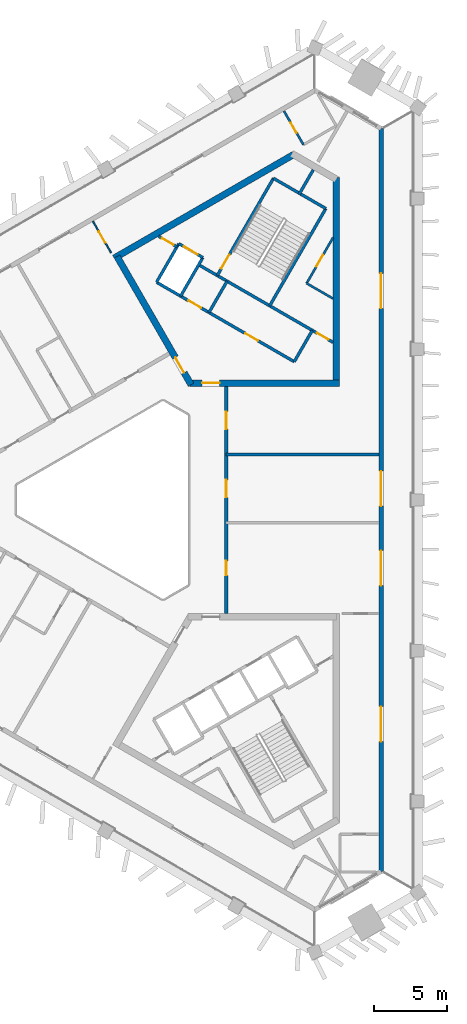
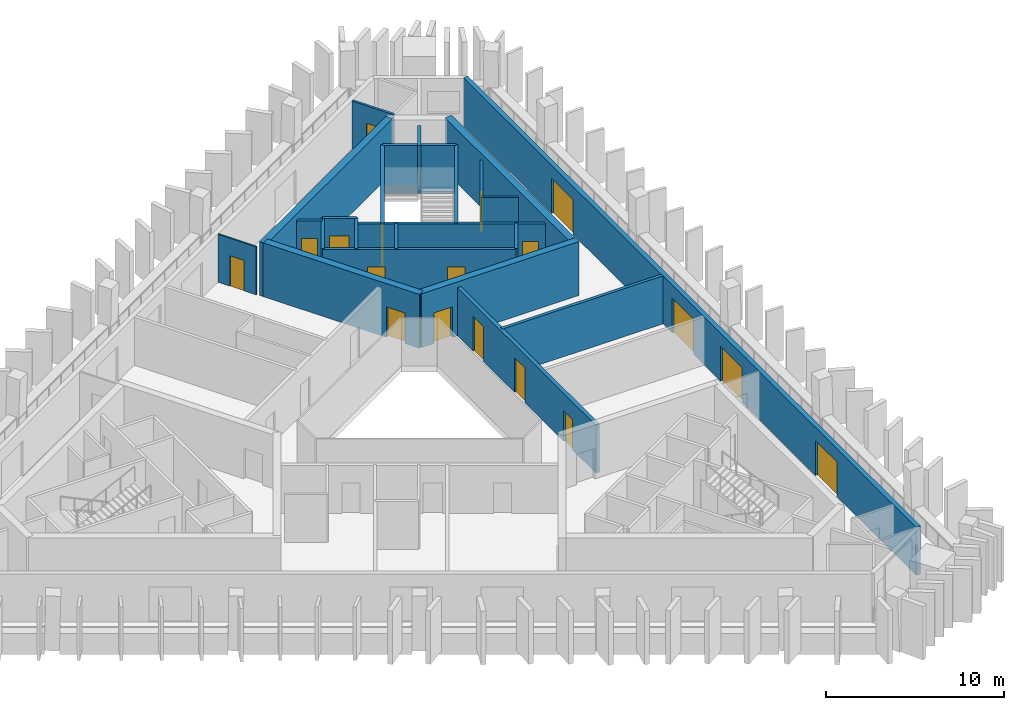
# One storey, part 5 of 10: 23 walls, 18 doors, 18 openings.
"""IFC4 building model written with IfcOpenShell, lengths in metres."""

from ifc_helpers import new_model, si_unit, direction, frame, frame_2d, origin, place, context, subcontext, project, spatial, rectangle, extrude, material, layer, layer_set, type_object, element, fill, save


model = new_model("IFC4")

# Units and contexts
model_context = context("Model", 3, precision=1e-05, world=origin(), true_north=direction((0.0, 1.0)))
body_context = subcontext(model_context, "Body", "Model", "MODEL_VIEW")
ifc_project = project(units=[si_unit("LENGTHUNIT", "METRE"), si_unit("AREAUNIT", "SQUARE_METRE"), si_unit("VOLUMEUNIT", "CUBIC_METRE"), si_unit("PLANEANGLEUNIT", "RADIAN"), si_unit("MASSUNIT", "GRAM", prefix="KILO")], contexts=[model_context])

# Site, building, storey
site_placement = place(None, origin())
site = spatial("IfcSite", under=ifc_project, at=site_placement, CompositionType="ELEMENT")
building_placement = place(site_placement, origin())
building = spatial("IfcBuilding", under=site, at=building_placement, Name="Jabali Bay Hotel Tower and Convention Centre", CompositionType="ELEMENT")
storey_placement = place(building_placement, frame((0.0, 0.0, 216.89990234375)))
storey = spatial("IfcBuildingStorey", under=building, at=storey_placement, Name="L53", CompositionType="ELEMENT", Elevation=216.89990234375)

# Wall
ifc_material_1 = material(Name="Concrete C40", Category="concrete")
ifc_layer_1 = layer(ifc_material_1, 0.199951171875)
ifc_layer_set_1 = layer_set([ifc_layer_1], Name="Concrete C40")
wall_type_1 = type_object("IfcWallType", Name="Core partition wall 200", PredefinedType="PARTITIONING", material=ifc_layer_set_1)
wall_1_placement = place(storey_placement, frame((87.090087890625, 100.9404296875, 0.0), z_axis=(0.0, 0.0, 1.0), x_axis=(0.500011643316, 0.866018681408, 0.0)))
element("IfcWall", 1, at=wall_1_placement, inside=storey, type_object=wall_type_1, Name="Core wall 1.3 L53", PredefinedType="PARTITIONING", context=body_context, shape_type="SweptSolid", body=[
    extrude(rectangle(XDim=1.97314453125, YDim=0.199951171875, at=frame_2d((0.986572265625, 0.0))), origin(), (0.0, 0.0, 1.0), 3.300048828125),
])

# Wall, opening, door
wall_2_placement = place(storey_placement, frame((78.730224609375, 97.36083984375, 0.0), z_axis=(0.0, 0.0, 1.0), x_axis=(-0.866045896294, 0.499964504253, 0.0)))
wall_2 = element("IfcWall", 2, at=wall_2_placement, inside=storey, type_object=wall_type_1, Name="Core wall 1.10 L53", PredefinedType="PARTITIONING", context=body_context, shape_type="SweptSolid", body=[
    extrude(rectangle(XDim=1.455078125, YDim=0.199951171875, at=frame_2d((0.7275390625, 0.0))), origin(), (0.0, 0.0, 1.0), 3.300048828125),
])
opening_1_placement = place(wall_2_placement, frame((0.277587890625, 0.0, 0.0)))
opening_1 = element("IfcOpeningElement", 3, at=opening_1_placement, cuts=wall_2, Name="Opening D1153", PredefinedType="OPENING", context=body_context, shape_type="SweptSolid", body=[
    extrude(rectangle(XDim=0.89990234375, YDim=2.10009765625, at=frame_2d((0.449951171875, 1.050048828125))), frame((0.0, 0.1103515625, 0.0), z_axis=(0.0, -1.0, 0.0), x_axis=(1.0, 0.0, 0.0)), (0.0, 0.0, 1.0), 0.220947265625),
])
ifc_material_2 = material(Name="Fire-rated steel door", Category="steel")
door_type_1 = type_object("IfcDoorType", Name="Vestibule fire door 900 x 2100", OperationType="NOTDEFINED", PredefinedType="NOTDEFINED", material=ifc_material_2)
door_1_placement = place(opening_1_placement, origin())
door_1 = element("IfcDoor", 4, at=door_1_placement, inside=storey, type_object=door_type_1, Name="Vestibule fire door D1153", OperationType="SINGLE_SWING_LEFT", OverallHeight=2.10009765625, OverallWidth=0.89990234375, PredefinedType="NOTDEFINED", context=body_context, shape_type="SweptSolid", body=[
    extrude(rectangle(XDim=0.89990234375, YDim=2.10009765625, at=frame_2d((0.449951171875, 1.050048828125))), frame((0.0, 0.02490234375, 0.0), z_axis=(0.0, -1.0, 0.0), x_axis=(1.0, 0.0, 0.0)), (0.0, 0.0, 1.0), 0.050048828125),
])
fill(opening_1, door_1)

ifc_material_3 = material(Name="Fire-rated board partition")
ifc_layer_2 = layer(ifc_material_3, 0.14990234375)
ifc_layer_set_2 = layer_set([ifc_layer_2], Name="Fire-rated board partition")
wall_type_2 = type_object("IfcWallType", Name="Core room partition 150", PredefinedType="PARTITIONING", material=ifc_layer_set_2)
wall_3_placement = place(storey_placement, frame((87.62109375, 94.8603515625, 0.0), z_axis=(0.0, 0.0, 1.0), x_axis=(0.499993116331, 0.866029378036, 0.0)))
wall_3 = element("IfcWall", 5, at=wall_3_placement, inside=storey, type_object=wall_type_2, Name="Core wall 1.1 L53", PredefinedType="PARTITIONING", context=body_context, shape_type="SweptSolid", body=[
    extrude(rectangle(XDim=3.61767578125, YDim=0.14990234375, at=frame_2d((1.808837890625, 0.0))), origin(), (0.0, 0.0, 1.0), 3.300048828125),
])
opening_2_placement = place(wall_3_placement, frame((1.33154296875, 0.0, 0.0)))
opening_2 = element("IfcOpeningElement", 6, at=opening_2_placement, cuts=wall_3, Name="Opening D1156", PredefinedType="OPENING", context=body_context, shape_type="SweptSolid", body=[
    extrude(rectangle(XDim=0.89990234375, YDim=2.10009765625, at=frame_2d((0.449951171875, 1.050048828125))), frame((0.0, 0.08544921875, 0.0), z_axis=(0.0, -1.0, 0.0), x_axis=(1.0, 0.0, 0.0)), (0.0, 0.0, 1.0), 0.1708984375),
])
door_type_2 = type_object("IfcDoorType", Name="Core room door 900 x 2100", OperationType="NOTDEFINED", PredefinedType="NOTDEFINED", material=ifc_material_2)
door_2_placement = place(opening_2_placement, origin())
door_2 = element("IfcDoor", 7, at=door_2_placement, inside=storey, type_object=door_type_2, Name="Core room door D1156", OperationType="SINGLE_SWING_LEFT", OverallHeight=2.10009765625, OverallWidth=0.89990234375, PredefinedType="NOTDEFINED", context=body_context, shape_type="SweptSolid", body=[
    extrude(rectangle(XDim=0.89990234375, YDim=2.10009765625, at=frame_2d((0.449951171875, 1.050048828125))), frame((0.0, 0.02490234375, 0.0), z_axis=(0.0, -1.0, 0.0), x_axis=(1.0, 0.0, 0.0)), (0.0, 0.0, 1.0), 0.050048828125),
])
fill(opening_2, door_2)

# Walls
wall_4_placement = place(storey_placement, frame((89.429931640625, 93.81591796875, 0.0), z_axis=(0.0, 0.0, 1.0), x_axis=(-0.866004557827, 0.500036104519, 0.0)))
element("IfcWall", 8, at=wall_4_placement, inside=storey, type_object=wall_type_2, Name="Core wall 1.12 L53", PredefinedType="PARTITIONING", context=body_context, shape_type="SweptSolid", body=[
    extrude(rectangle(XDim=2.088623046875, YDim=0.14990234375, at=frame_2d((1.04443359375, 0.0))), origin(), (0.0, 0.0, 1.0), 3.300048828125),
])
ifc_layer_3 = layer(ifc_material_1, 0.199951171875)
ifc_layer_set_3 = layer_set([ifc_layer_3], Name="Concrete C40")
wall_type_3 = type_object("IfcWallType", Name="Core stair wall 200", PredefinedType="SOLIDWALL", material=ifc_layer_set_3)
wall_5_placement = place(storey_placement, frame((86.769775390625, 89.48583984375, 0.0), z_axis=(0.0, 0.0, 1.0), x_axis=(0.499961042966, 0.86604789447, 0.0)))
element("IfcWall", 9, at=wall_5_placement, inside=storey, type_object=wall_type_3, Name="Core wall 1.0 L53", PredefinedType="SOLIDWALL", context=body_context, shape_type="SweptSolid", body=[
    extrude(rectangle(XDim=2.480224609375, YDim=0.199951171875, at=frame_2d((1.240234375, 0.0))), origin(), (0.0, 0.0, 1.0), 3.300048828125),
])
wall_6_placement = place(storey_placement, frame((85.0869140625, 93.3212890625, 0.0), z_axis=(0.0, 0.0, 1.0), x_axis=(0.500019787375, 0.866013979237, 0.0)))
element("IfcWall", 10, at=wall_6_placement, inside=storey, type_object=wall_type_3, Name="Core wall 1.2 L53", PredefinedType="SOLIDWALL", context=body_context, shape_type="SweptSolid", body=[
    extrude(rectangle(XDim=7.699951171875, YDim=0.199951171875, at=frame_2d((3.85009765625, 0.0))), origin(), (0.0, 0.0, 1.0), 3.300048828125),
])
wall_7_placement = place(storey_placement, frame((80.924072265625, 92.86083984375, 0.0), z_axis=(0.0, 0.0, 1.0), x_axis=(0.499961042966, 0.86604789447, 0.0)))
element("IfcWall", 11, at=wall_7_placement, inside=storey, type_object=wall_type_3, Name="Core wall 1.4 L53", PredefinedType="SOLIDWALL", context=body_context, shape_type="SweptSolid", body=[
    extrude(rectangle(XDim=2.480224609375, YDim=0.199951171875, at=frame_2d((1.240234375, 0.0))), origin(), (0.0, 0.0, 1.0), 3.300048828125),
])

# Wall, opening, door
wall_8_placement = place(storey_placement, frame((81.492919921875, 95.396240234375, 0.0), z_axis=(0.0, 0.0, 1.0), x_axis=(0.500006057782, 0.866021906294, 0.0)))
wall_8 = element("IfcWall", 12, at=wall_8_placement, inside=storey, type_object=wall_type_3, Name="Core wall 1.5 L53", PredefinedType="SOLIDWALL", context=body_context, shape_type="SweptSolid", body=[
    extrude(rectangle(XDim=7.7001953125, YDim=0.199951171875, at=frame_2d((3.85009765625, 0.0))), origin(), (0.0, 0.0, 1.0), 3.300048828125),
])
opening_3_placement = place(wall_8_placement, frame((0.550048828125, 0.0, 0.0)))
opening_3 = element("IfcOpeningElement", 13, at=opening_3_placement, cuts=wall_8, Name="Opening D1155", PredefinedType="OPENING", context=body_context, shape_type="SweptSolid", body=[
    extrude(rectangle(XDim=1.10009765625, YDim=2.10009765625, at=frame_2d((0.550048828125, 1.050048828125))), frame((0.0, 0.1103515625, 0.0), z_axis=(0.0, -1.0, 0.0), x_axis=(1.0, 0.0, 0.0)), (0.0, 0.0, 1.0), 0.220947265625),
])
door_type_3 = type_object("IfcDoorType", Name="Stair fire door 1100 x 2100", OperationType="NOTDEFINED", PredefinedType="NOTDEFINED", material=ifc_material_2)
door_3_placement = place(opening_3_placement, origin())
door_3 = element("IfcDoor", 14, at=door_3_placement, inside=storey, type_object=door_type_3, Name="Stair fire door D1155", OperationType="SINGLE_SWING_RIGHT", OverallHeight=2.10009765625, OverallWidth=1.10009765625, PredefinedType="NOTDEFINED", context=body_context, shape_type="SweptSolid", body=[
    extrude(rectangle(XDim=1.10009765625, YDim=2.10009765625, at=frame_2d((0.550048828125, 1.050048828125))), frame((0.0, 0.02490234375, 0.0), z_axis=(0.0, -1.0, 0.0), x_axis=(1.0, 0.0, 0.0)), (0.0, 0.0, 1.0), 0.050048828125),
])
fill(opening_3, door_3)

# Walls
for number, where, z_axis, x_axis, name in (
    (15, (78.9755859375, 93.98583984375, 0.0), (0.0, 0.0, 1.0), (0.499944174705, 0.866057632134, 0.0), "Core wall 1.6 L53"),
    (16, (77.330078125, 94.93603515625, 0.0), (0.0, 0.0, 1.0), (0.500038867431, 0.8660029625, 0.0), "Core wall 1.7 L53"),
):
    element("IfcWall", number, at=place(storey_placement, frame(where, z_axis=z_axis, x_axis=x_axis)), inside=storey, type_object=wall_type_3, Name=name, PredefinedType="SOLIDWALL", context=body_context, shape_type="SweptSolid", body=[
        extrude(rectangle(XDim=3.050048828125, YDim=0.199951171875, at=frame_2d((1.52490234375, 0.0))), origin(), (0.0, 0.0, 1.0), 3.300048828125),
    ])

# Wall, openings, doors
wall_9_placement = place(storey_placement, frame((86.769775390625, 89.48583984375, 0.0), z_axis=(0.0, 0.0, 1.0), x_axis=(-0.86601811187, 0.500012629753, 0.0)))
wall_9 = element("IfcWall", 17, at=wall_9_placement, inside=storey, type_object=wall_type_3, Name="Core wall 1.8 L53", PredefinedType="SOLIDWALL", context=body_context, shape_type="SweptSolid", body=[
    extrude(rectangle(XDim=10.900146484375, YDim=0.199951171875, at=frame_2d((5.4501953125, 0.0))), origin(), (0.0, 0.0, 1.0), 3.300048828125),
])
opening_4_placement = place(wall_9_placement, frame((2.875, 0.0, 0.0)))
opening_4 = element("IfcOpeningElement", 18, at=opening_4_placement, cuts=wall_9, Name="Opening D1151", PredefinedType="OPENING", context=body_context, shape_type="SweptSolid", body=[
    extrude(rectangle(XDim=1.0, YDim=2.10009765625, at=frame_2d((0.5, 1.050048828125))), frame((0.0, 0.1103515625, 0.0), z_axis=(0.0, -1.0, 0.0), x_axis=(1.0, 0.0, 0.0)), (0.0, 0.0, 1.0), 0.220947265625),
])
opening_5_placement = place(wall_9_placement, frame((7.375, 0.0, 0.0)))
opening_5 = element("IfcOpeningElement", 19, at=opening_5_placement, cuts=wall_9, Name="Opening D1152", PredefinedType="OPENING", context=body_context, shape_type="SweptSolid", body=[
    extrude(rectangle(XDim=1.0, YDim=2.10009765625, at=frame_2d((0.5, 1.050048828125))), frame((0.0, 0.1103515625, 0.0), z_axis=(0.0, -1.0, 0.0), x_axis=(1.0, 0.0, 0.0)), (0.0, 0.0, 1.0), 0.220947265625),
])
door_type_4 = type_object("IfcDoorType", Name="Core room door 1000 x 2100", OperationType="NOTDEFINED", PredefinedType="NOTDEFINED", material=ifc_material_2)
door_4_placement = place(opening_4_placement, origin())
door_4 = element("IfcDoor", 20, at=door_4_placement, inside=storey, type_object=door_type_4, Name="Core room door D1151", OperationType="SINGLE_SWING_RIGHT", OverallHeight=2.10009765625, OverallWidth=1.0, PredefinedType="NOTDEFINED", context=body_context, shape_type="SweptSolid", body=[
    extrude(rectangle(XDim=1.0, YDim=2.10009765625, at=frame_2d((0.5, 1.050048828125))), frame((0.0, 0.02490234375, 0.0), z_axis=(0.0, -1.0, 0.0), x_axis=(1.0, 0.0, 0.0)), (0.0, 0.0, 1.0), 0.050048828125),
])
fill(opening_4, door_4)
door_5_placement = place(opening_5_placement, origin())
door_5 = element("IfcDoor", 21, at=door_5_placement, inside=storey, type_object=door_type_4, Name="Core room door D1152", OperationType="SINGLE_SWING_RIGHT", OverallHeight=2.10009765625, OverallWidth=1.0, PredefinedType="NOTDEFINED", context=body_context, shape_type="SweptSolid", body=[
    extrude(rectangle(XDim=1.0, YDim=2.10009765625, at=frame_2d((0.5, 1.050048828125))), frame((0.0, 0.02490234375, 0.0), z_axis=(0.0, -1.0, 0.0), x_axis=(1.0, 0.0, 0.0)), (0.0, 0.0, 1.0), 0.050048828125),
])
fill(opening_5, door_5)

# Wall, opening, door
wall_10_placement = place(storey_placement, frame((89.429931640625, 90.813720703125, 0.0), z_axis=(0.0, 0.0, 1.0), x_axis=(-0.866018983788, 0.500011119594, 0.0)))
wall_10 = element("IfcWall", 22, at=wall_10_placement, inside=storey, type_object=wall_type_3, Name="Core wall 1.9 L53", PredefinedType="SOLIDWALL", context=body_context, shape_type="SweptSolid", body=[
    extrude(rectangle(XDim=10.639892578125, YDim=0.199951171875, at=frame_2d((5.31982421875, 0.0))), origin(), (0.0, 0.0, 1.0), 3.300048828125),
])
opening_6_placement = place(wall_10_placement, frame((0.369873046875, 0.0, 0.0)))
opening_6 = element("IfcOpeningElement", 23, at=opening_6_placement, cuts=wall_10, Name="Opening D1154", PredefinedType="OPENING", context=body_context, shape_type="SweptSolid", body=[
    extrude(rectangle(XDim=0.89990234375, YDim=2.10009765625, at=frame_2d((0.449951171875, 1.050048828125))), frame((0.0, 0.1103515625, 0.0), z_axis=(0.0, -1.0, 0.0), x_axis=(1.0, 0.0, 0.0)), (0.0, 0.0, 1.0), 0.220947265625),
])
door_6_placement = place(opening_6_placement, origin())
door_6 = element("IfcDoor", 24, at=door_6_placement, inside=storey, type_object=door_type_1, Name="Vestibule fire door D1154", OperationType="SINGLE_SWING_LEFT", OverallHeight=2.10009765625, OverallWidth=0.89990234375, PredefinedType="NOTDEFINED", context=body_context, shape_type="SweptSolid", body=[
    extrude(rectangle(XDim=0.89990234375, YDim=2.10009765625, at=frame_2d((0.449951171875, 1.050048828125))), frame((0.0, 0.02490234375, 0.0), z_axis=(0.0, -1.0, 0.0), x_axis=(1.0, 0.0, 0.0)), (0.0, 0.0, 1.0), 0.050048828125),
])
fill(opening_6, door_6)

wall_11_placement = place(storey_placement, frame((80.50048828125, 96.62744140625, 0.0), z_axis=(0.0, 0.0, 1.0), x_axis=(-0.86601224135, 0.500022797313, 0.0)))
wall_11 = element("IfcWall", 25, at=wall_11_placement, inside=storey, type_object=wall_type_3, Name="Core wall 1.11 L53", PredefinedType="SOLIDWALL", context=body_context, shape_type="SweptSolid", body=[
    extrude(rectangle(XDim=1.89990234375, YDim=0.199951171875, at=frame_2d((0.949951171875, 0.0))), origin(), (0.0, 0.0, 1.0), 3.300048828125),
])
opening_7_placement = place(wall_11_placement, frame((0.39990234375, 0.0, 0.0)))
opening_7 = element("IfcOpeningElement", 26, at=opening_7_placement, cuts=wall_11, Name="Opening LD10-L53", PredefinedType="OPENING", context=body_context, shape_type="SweptSolid", body=[
    extrude(rectangle(XDim=1.10009765625, YDim=2.10009765625, at=frame_2d((0.550048828125, 1.050048828125))), frame((0.0, 0.1103515625, 0.0), z_axis=(0.0, -1.0, 0.0), x_axis=(1.0, 0.0, 0.0)), (0.0, 0.0, 1.0), 0.220947265625),
])
ifc_material_4 = material(Name="Stainless steel landing door", Category="steel")
door_type_5 = type_object("IfcDoorType", Name="Landing door 1100 x 2100", OperationType="NOTDEFINED", PredefinedType="NOTDEFINED", material=ifc_material_4)
door_7_placement = place(opening_7_placement, origin())
door_7 = element("IfcDoor", 27, at=door_7_placement, inside=storey, type_object=door_type_5, Name="Landing doors LD10-L53", OperationType="SLIDING_TO_RIGHT", OverallHeight=2.10009765625, OverallWidth=1.10009765625, PredefinedType="NOTDEFINED", context=body_context, shape_type="SweptSolid", body=[
    extrude(rectangle(XDim=1.10009765625, YDim=2.10009765625, at=frame_2d((0.550048828125, 1.050048828125))), frame((0.0, 0.02490234375, 0.0), z_axis=(0.0, -1.0, 0.0), x_axis=(1.0, 0.0, 0.0)), (0.0, 0.0, 1.0), 0.050048828125),
])
fill(opening_7, door_7)

# Wall
wall_12_placement = place(storey_placement, frame((88.93701171875, 99.989501953125, 0.0), z_axis=(0.0, 0.0, 1.0), x_axis=(-0.866004344652, 0.500036473714, 0.0)))
element("IfcWall", 28, at=wall_12_placement, inside=storey, type_object=wall_type_3, Name="Core wall 1.13 L53", PredefinedType="SOLIDWALL", context=body_context, shape_type="SweptSolid", body=[
    extrude(rectangle(XDim=4.150146484375, YDim=0.199951171875, at=frame_2d((2.0751953125, 0.0))), origin(), (0.0, 0.0, 1.0), 3.300048828125),
])

# Wall, opening, door
ifc_material_5 = material(Name="Concrete C60", Category="concrete")
ifc_layer_4 = layer(ifc_material_5, 0.449951171875)
ifc_layer_set_4 = layer_set([ifc_layer_4], Name="Concrete C60")
wall_type_4 = type_object("IfcWallType", Name="Core wall 450", PredefinedType="SHEAR", material=ifc_layer_set_4)
wall_13_placement = place(storey_placement, frame((79.6298828125, 88.019287109375, 0.0), z_axis=(0.0, 0.0, 1.0), x_axis=(1.0, 0.0, 0.0)))
wall_13 = element("IfcWall", 29, at=wall_13_placement, inside=storey, type_object=wall_type_4, Name="Core wall 2.1 L53", PredefinedType="SHEAR", context=body_context, shape_type="SweptSolid", body=[
    extrude(rectangle(XDim=10.25, YDim=0.449951171875, at=frame_2d((5.125, 0.0))), origin(), (0.0, 0.0, 1.0), 3.7001953125),
])
opening_8_placement = place(wall_13_placement, frame((0.820068359375, 0.0, 0.0)))
opening_8 = element("IfcOpeningElement", 30, at=opening_8_placement, cuts=wall_13, Name="Opening D1149", PredefinedType="OPENING", context=body_context, shape_type="SweptSolid", body=[
    extrude(rectangle(XDim=1.199951171875, YDim=2.10009765625, at=frame_2d((0.60009765625, 1.050048828125))), frame((0.0, 0.2353515625, 0.0), z_axis=(0.0, -1.0, 0.0), x_axis=(1.0, 0.0, 0.0)), (0.0, 0.0, 1.0), 0.470947265625),
])
door_type_6 = type_object("IfcDoorType", Name="Corridor end fire door 1200 x 2100", OperationType="NOTDEFINED", PredefinedType="NOTDEFINED", material=ifc_material_2)
door_8_placement = place(opening_8_placement, origin())
door_8 = element("IfcDoor", 31, at=door_8_placement, inside=storey, type_object=door_type_6, Name="Corridor end fire door D1149", OperationType="SINGLE_SWING_RIGHT", OverallHeight=2.10009765625, OverallWidth=1.199951171875, PredefinedType="NOTDEFINED", context=body_context, shape_type="SweptSolid", body=[
    extrude(rectangle(XDim=1.199951171875, YDim=2.10009765625, at=frame_2d((0.60009765625, 1.050048828125))), frame((0.0, 0.02490234375, 0.0), z_axis=(0.0, -1.0, 0.0), x_axis=(1.0, 0.0, 0.0)), (0.0, 0.0, 1.0), 0.050048828125),
])
fill(opening_8, door_8)

# Walls
wall_14_placement = place(storey_placement, frame((89.655029296875, 88.019287109375, 0.0), z_axis=(0.0, 0.0, 1.0), x_axis=(0.0, 1.0, 0.0)))
element("IfcWall", 32, at=wall_14_placement, inside=storey, type_object=wall_type_4, Name="Core wall 2.2 L53", PredefinedType="SHEAR", context=body_context, shape_type="SweptSolid", body=[
    extrude(rectangle(XDim=14.1083984375, YDim=0.449951171875, at=frame_2d((7.05419921875, 0.0))), origin(), (0.0, 0.0, 1.0), 3.7001953125),
])
wall_15_placement = place(storey_placement, frame((86.72314453125, 103.6904296875, 0.0), z_axis=(0.0, 0.0, 1.0), x_axis=(-0.866022713978, -0.500004658852, 0.0)))
element("IfcWall", 33, at=wall_15_placement, inside=storey, type_object=wall_type_4, Name="Core wall 2.4 L53", PredefinedType="SHEAR", context=body_context, shape_type="SweptSolid", body=[
    extrude(rectangle(XDim=14.203369140625, YDim=0.449951171875, at=frame_2d((7.1015625, 0.0))), origin(), (0.0, 0.0, 1.0), 3.7001953125),
])

# Wall, opening, door
wall_16_placement = place(storey_placement, frame((74.617431640625, 96.701171875, 0.0), z_axis=(0.0, 0.0, 1.0), x_axis=(0.499994385119, -0.866028645513, 0.0)))
wall_16 = element("IfcWall", 34, at=wall_16_placement, inside=storey, type_object=wall_type_4, Name="Core wall 2.5 L53", PredefinedType="SHEAR", context=body_context, shape_type="SweptSolid", body=[
    extrude(rectangle(XDim=10.15478515625, YDim=0.449951171875, at=frame_2d((5.077392578125, 0.0))), origin(), (0.0, 0.0, 1.0), 3.7001953125),
])
opening_9_placement = place(wall_16_placement, frame((8.0048828125, 0.0, 0.0)))
opening_9 = element("IfcOpeningElement", 35, at=opening_9_placement, cuts=wall_16, Name="Opening D1150", PredefinedType="OPENING", context=body_context, shape_type="SweptSolid", body=[
    extrude(rectangle(XDim=1.199951171875, YDim=2.10009765625, at=frame_2d((0.60009765625, 1.050048828125))), frame((0.0, 0.2353515625, 0.0), z_axis=(0.0, -1.0, 0.0), x_axis=(1.0, 0.0, 0.0)), (0.0, 0.0, 1.0), 0.470947265625),
])
door_9_placement = place(opening_9_placement, origin())
door_9 = element("IfcDoor", 36, at=door_9_placement, inside=storey, type_object=door_type_6, Name="Corridor end fire door D1150", OperationType="SINGLE_SWING_LEFT", OverallHeight=2.10009765625, OverallWidth=1.199951171875, PredefinedType="NOTDEFINED", context=body_context, shape_type="SweptSolid", body=[
    extrude(rectangle(XDim=1.199951171875, YDim=2.10009765625, at=frame_2d((0.60009765625, 1.050048828125))), frame((0.0, 0.02490234375, 0.0), z_axis=(0.0, -1.0, 0.0), x_axis=(1.0, 0.0, 0.0)), (0.0, 0.0, 1.0), 0.050048828125),
])
fill(opening_9, door_9)

# Wall, openings, doors
ifc_layer_5 = layer(ifc_material_5, 0.25)
ifc_layer_set_5 = layer_set([ifc_layer_5], Name="Concrete C60")
wall_type_5 = type_object("IfcWallType", Name="Corridor wall 250", PredefinedType="SHEAR", material=ifc_layer_set_5)
wall_17_placement = place(storey_placement, frame((82.10009765625, 72.205810546875, 0.0), z_axis=(0.0, 0.0, 1.0), x_axis=(0.0, 1.0, 0.0)))
wall_17 = element("IfcWall", 37, at=wall_17_placement, inside=storey, type_object=wall_type_5, Name="Corridor wall 1 L53", PredefinedType="SHEAR", context=body_context, shape_type="SweptSolid", body=[
    extrude(rectangle(XDim=15.58837890625, YDim=0.25, at=frame_2d((7.794189453125, 0.0))), origin(), (0.0, 0.0, 1.0), 3.300048828125),
])
opening_10_placement = place(wall_17_placement, frame((2.61767578125, 0.0, 0.0)))
opening_10 = element("IfcOpeningElement", 38, at=opening_10_placement, cuts=wall_17, Name="Opening 5301", PredefinedType="OPENING", context=body_context, shape_type="SweptSolid", body=[
    extrude(rectangle(XDim=1.0, YDim=2.10009765625, at=frame_2d((0.5, 1.050048828125))), frame((0.0, 0.135498046875, 0.0), z_axis=(0.0, -1.0, 0.0), x_axis=(1.0, 0.0, 0.0)), (0.0, 0.0, 1.0), 0.27099609375),
])
opening_11_placement = place(wall_17_placement, frame((7.9736328125, 0.0, 0.0)))
opening_11 = element("IfcOpeningElement", 39, at=opening_11_placement, cuts=wall_17, Name="Opening 5304", PredefinedType="OPENING", context=body_context, shape_type="SweptSolid", body=[
    extrude(rectangle(XDim=1.199951171875, YDim=2.39990234375, at=frame_2d((0.60009765625, 1.199951171875))), frame((0.0, 0.135498046875, 0.0), z_axis=(0.0, -1.0, 0.0), x_axis=(1.0, 0.0, 0.0)), (0.0, 0.0, 1.0), 0.27099609375),
])
opening_12_placement = place(wall_17_placement, frame((12.650146484375, 0.0, 0.0)))
opening_12 = element("IfcOpeningElement", 40, at=opening_12_placement, cuts=wall_17, Name="Opening 5305", PredefinedType="OPENING", context=body_context, shape_type="SweptSolid", body=[
    extrude(rectangle(XDim=1.199951171875, YDim=2.39990234375, at=frame_2d((0.60009765625, 1.199951171875))), frame((0.0, 0.135498046875, 0.0), z_axis=(0.0, -1.0, 0.0), x_axis=(1.0, 0.0, 0.0)), (0.0, 0.0, 1.0), 0.27099609375),
])
ifc_material_6 = material(Name="Timber", Category="wood")
door_type_7 = type_object("IfcDoorType", Name="Guest room door 1000 x 2100", OperationType="NOTDEFINED", PredefinedType="NOTDEFINED", material=ifc_material_6)
door_10_placement = place(opening_10_placement, origin())
door_10 = element("IfcDoor", 41, at=door_10_placement, inside=storey, type_object=door_type_7, Name="Door 5301", OperationType="SINGLE_SWING_LEFT", OverallHeight=2.10009765625, OverallWidth=1.0, PredefinedType="NOTDEFINED", context=body_context, shape_type="SweptSolid", body=[
    extrude(rectangle(XDim=1.0, YDim=2.10009765625, at=frame_2d((0.5, 1.050048828125))), frame((0.0, 0.02490234375, 0.0), z_axis=(0.0, -1.0, 0.0), x_axis=(1.0, 0.0, 0.0)), (0.0, 0.0, 1.0), 0.050048828125),
])
fill(opening_10, door_10)
door_type_8 = type_object("IfcDoorType", Name="Public room door 1200 x 2400", OperationType="NOTDEFINED", PredefinedType="NOTDEFINED", material=ifc_material_6)
door_11_placement = place(opening_11_placement, origin())
door_11 = element("IfcDoor", 42, at=door_11_placement, inside=storey, type_object=door_type_8, Name="Door 5304", OperationType="SINGLE_SWING_RIGHT", OverallHeight=2.39990234375, OverallWidth=1.199951171875, PredefinedType="NOTDEFINED", context=body_context, shape_type="SweptSolid", body=[
    extrude(rectangle(XDim=1.199951171875, YDim=2.39990234375, at=frame_2d((0.60009765625, 1.199951171875))), frame((0.0, 0.02490234375, 0.0), z_axis=(0.0, -1.0, 0.0), x_axis=(1.0, 0.0, 0.0)), (0.0, 0.0, 1.0), 0.050048828125),
])
fill(opening_11, door_11)
door_12_placement = place(opening_12_placement, origin())
door_12 = element("IfcDoor", 43, at=door_12_placement, inside=storey, type_object=door_type_8, Name="Door 5305", OperationType="SINGLE_SWING_RIGHT", OverallHeight=2.39990234375, OverallWidth=1.199951171875, PredefinedType="NOTDEFINED", context=body_context, shape_type="SweptSolid", body=[
    extrude(rectangle(XDim=1.199951171875, YDim=2.39990234375, at=frame_2d((0.60009765625, 1.199951171875))), frame((0.0, 0.02490234375, 0.0), z_axis=(0.0, -1.0, 0.0), x_axis=(1.0, 0.0, 0.0)), (0.0, 0.0, 1.0), 0.050048828125),
])
fill(opening_12, door_12)

ifc_layer_6 = layer(ifc_material_1, 0.300048828125)
ifc_layer_set_6 = layer_set([ifc_layer_6], Name="Concrete C40")
wall_type_6 = type_object("IfcWallType", Name="External wall 300", PredefinedType="SOLIDWALL", material=ifc_layer_set_6)
wall_18_placement = place(storey_placement, frame((92.726806640625, 105.488525390625, 0.0), z_axis=(0.0, 0.0, 1.0), x_axis=(0.0, -1.0, 0.0)))
wall_18 = element("IfcWall", 44, at=wall_18_placement, inside=storey, type_object=wall_type_6, Name="External wall east face L53", PredefinedType="SOLIDWALL", context=body_context, shape_type="SweptSolid", body=[
    extrude(rectangle(XDim=50.97705078125, YDim=0.300048828125, at=frame_2d((25.488525390625, 0.0))), origin(), (0.0, 0.0, 1.0), 3.300048828125),
])
opening_13_placement = place(wall_18_placement, frame((9.942138671875, 0.0, 0.0)))
opening_13 = element("IfcOpeningElement", 45, at=opening_13_placement, cuts=wall_18, Name="Opening SD1", PredefinedType="OPENING", context=body_context, shape_type="SweptSolid", body=[
    extrude(rectangle(XDim=2.39990234375, YDim=2.39990234375, at=frame_2d((1.199951171875, 1.199951171875))), frame((0.0, 0.16064453125, 0.0), z_axis=(0.0, -1.0, 0.0), x_axis=(1.0, 0.0, 0.0)), (0.0, 0.0, 1.0), 0.321044921875),
])
opening_14_placement = place(wall_18_placement, frame((28.96484375, 0.0, 0.0)))
opening_14 = element("IfcOpeningElement", 46, at=opening_14_placement, cuts=wall_18, Name="Opening SD1", PredefinedType="OPENING", context=body_context, shape_type="SweptSolid", body=[
    extrude(rectangle(XDim=2.39990234375, YDim=2.39990234375, at=frame_2d((1.199951171875, 1.199951171875))), frame((0.0, 0.16064453125, 0.0), z_axis=(0.0, -1.0, 0.0), x_axis=(1.0, 0.0, 0.0)), (0.0, 0.0, 1.0), 0.321044921875),
])
opening_15_placement = place(wall_18_placement, frame((39.655517578125, 0.0, 0.0)))
opening_15 = element("IfcOpeningElement", 47, at=opening_15_placement, cuts=wall_18, Name="Opening SD1", PredefinedType="OPENING", context=body_context, shape_type="SweptSolid", body=[
    extrude(rectangle(XDim=2.39990234375, YDim=2.39990234375, at=frame_2d((1.199951171875, 1.199951171875))), frame((0.0, 0.16064453125, 0.0), z_axis=(0.0, -1.0, 0.0), x_axis=(1.0, 0.0, 0.0)), (0.0, 0.0, 1.0), 0.321044921875),
])
opening_16_placement = place(wall_18_placement, frame((23.509033203125, 0.0, 0.0)))
opening_16 = element("IfcOpeningElement", 48, at=opening_16_placement, cuts=wall_18, Name="Opening SD1", PredefinedType="OPENING", context=body_context, shape_type="SweptSolid", body=[
    extrude(rectangle(XDim=2.39990234375, YDim=2.39990234375, at=frame_2d((1.199951171875, 1.199951171875))), frame((0.0, 0.16064453125, 0.0), z_axis=(0.0, -1.0, 0.0), x_axis=(1.0, 0.0, 0.0)), (0.0, 0.0, 1.0), 0.321044921875),
])
ifc_material_7 = material(Name="Glass", Category="glass")
door_type_9 = type_object("IfcDoorType", Name="Loggia sliding door 2400 x 2400", OperationType="NOTDEFINED", PredefinedType="NOTDEFINED", material=ifc_material_7)
door_13_placement = place(opening_13_placement, origin())
door_13 = element("IfcDoor", 49, at=door_13_placement, inside=storey, type_object=door_type_9, Name="Loggia sliding door 5302", OperationType="SLIDING_TO_LEFT", OverallHeight=2.39990234375, OverallWidth=2.39990234375, PredefinedType="NOTDEFINED", context=body_context, shape_type="SweptSolid", body=[
    extrude(rectangle(XDim=2.39990234375, YDim=2.39990234375, at=frame_2d((1.199951171875, 1.199951171875))), frame((0.0, 0.02490234375, 0.0), z_axis=(0.0, -1.0, 0.0), x_axis=(1.0, 0.0, 0.0)), (0.0, 0.0, 1.0), 0.050048828125),
])
fill(opening_13, door_13)
door_14_placement = place(opening_14_placement, origin())
door_14 = element("IfcDoor", 50, at=door_14_placement, inside=storey, type_object=door_type_9, Name="Loggia sliding door 5301", OperationType="SLIDING_TO_RIGHT", OverallHeight=2.39990234375, OverallWidth=2.39990234375, PredefinedType="NOTDEFINED", context=body_context, shape_type="SweptSolid", body=[
    extrude(rectangle(XDim=2.39990234375, YDim=2.39990234375, at=frame_2d((1.199951171875, 1.199951171875))), frame((0.0, 0.02490234375, 0.0), z_axis=(0.0, -1.0, 0.0), x_axis=(1.0, 0.0, 0.0)), (0.0, 0.0, 1.0), 0.050048828125),
])
fill(opening_14, door_14)
door_15_placement = place(opening_15_placement, origin())
door_15 = element("IfcDoor", 51, at=door_15_placement, inside=storey, type_object=door_type_9, Name="Loggia sliding door 5301", OperationType="SLIDING_TO_LEFT", OverallHeight=2.39990234375, OverallWidth=2.39990234375, PredefinedType="NOTDEFINED", context=body_context, shape_type="SweptSolid", body=[
    extrude(rectangle(XDim=2.39990234375, YDim=2.39990234375, at=frame_2d((1.199951171875, 1.199951171875))), frame((0.0, 0.02490234375, 0.0), z_axis=(0.0, -1.0, 0.0), x_axis=(1.0, 0.0, 0.0)), (0.0, 0.0, 1.0), 0.050048828125),
])
fill(opening_15, door_15)
door_16_placement = place(opening_16_placement, origin())
door_16 = element("IfcDoor", 52, at=door_16_placement, inside=storey, type_object=door_type_9, Name="Loggia sliding door", OperationType="SLIDING_TO_RIGHT", OverallHeight=2.39990234375, OverallWidth=2.39990234375, PredefinedType="NOTDEFINED", context=body_context, shape_type="SweptSolid", body=[
    extrude(rectangle(XDim=2.39990234375, YDim=2.39990234375, at=frame_2d((1.199951171875, 1.199951171875))), frame((0.0, 0.02490234375, 0.0), z_axis=(0.0, -1.0, 0.0), x_axis=(1.0, 0.0, 0.0)), (0.0, 0.0, 1.0), 0.050048828125),
])
fill(opening_16, door_16)

# Wall, opening, door
ifc_material_8 = material(Name="Plasterboard on steel stud", Category="steel")
ifc_layer_7 = layer(ifc_material_8, 0.10009765625)
ifc_layer_set_7 = layer_set([ifc_layer_7], Name="Plasterboard on steel stud")
wall_type_7 = type_object("IfcWallType", Name="Partition 100 unit", PredefinedType="PARTITIONING", material=ifc_layer_set_7)
wall_19_placement = place(storey_placement, frame((74.21044921875, 96.955810546875, 0.0), z_axis=(0.0, 0.0, 1.0), x_axis=(-0.499953629774, 0.866052173992, 0.0)))
wall_19 = element("IfcWall", 53, at=wall_19_placement, inside=storey, type_object=wall_type_7, Name="Partition P02 L53 009", PredefinedType="PARTITIONING", context=body_context, shape_type="SweptSolid", body=[
    extrude(rectangle(XDim=2.498779296875, YDim=0.10009765625, at=frame_2d((1.24951171875, 0.0))), origin(), (0.0, 0.0, 1.0), 3.300048828125),
])
opening_17_placement = place(wall_19_placement, frame((0.799072265625, 0.0, 0.0)))
opening_17 = element("IfcOpeningElement", 54, at=opening_17_placement, cuts=wall_19, Name="Opening 5307", PredefinedType="OPENING", context=body_context, shape_type="SweptSolid", body=[
    extrude(rectangle(XDim=0.89990234375, YDim=2.10009765625, at=frame_2d((0.449951171875, 1.050048828125))), frame((0.0, 0.060546875, 0.0), z_axis=(0.0, -1.0, 0.0), x_axis=(1.0, 0.0, 0.0)), (0.0, 0.0, 1.0), 0.12109375),
])
door_type_10 = type_object("IfcDoorType", Name="Internal door 900 x 2100", OperationType="NOTDEFINED", PredefinedType="NOTDEFINED", material=ifc_material_6)
door_17_placement = place(opening_17_placement, origin())
door_17 = element("IfcDoor", 55, at=door_17_placement, inside=storey, type_object=door_type_10, Name="Door 5307", OperationType="SINGLE_SWING_LEFT", OverallHeight=2.10009765625, OverallWidth=0.89990234375, PredefinedType="NOTDEFINED", context=body_context, shape_type="SweptSolid", body=[
    extrude(rectangle(XDim=0.89990234375, YDim=2.10009765625, at=frame_2d((0.449951171875, 1.050048828125))), frame((0.0, 0.02490234375, 0.0), z_axis=(0.0, -1.0, 0.0), x_axis=(1.0, 0.0, 0.0)), (0.0, 0.0, 1.0), 0.050048828125),
])
fill(opening_17, door_17)

ifc_layer_8 = layer(ifc_material_8, 0.14990234375)
ifc_layer_set_8 = layer_set([ifc_layer_8], Name="Plasterboard on steel stud")
wall_type_8 = type_object("IfcWallType", Name="Partition 150 wet", PredefinedType="PARTITIONING", material=ifc_layer_set_8)
wall_20_placement = place(storey_placement, frame((87.400390625, 104.3662109375, 0.0), z_axis=(0.0, 0.0, 1.0), x_axis=(-0.500014634633, 0.86601695431, 0.0)))
wall_20 = element("IfcWall", 56, at=wall_20_placement, inside=storey, type_object=wall_type_8, Name="Partition P03 L53 013", PredefinedType="PARTITIONING", context=body_context, shape_type="SweptSolid", body=[
    extrude(rectangle(XDim=2.67626953125, YDim=0.14990234375, at=frame_2d((1.338134765625, 0.0))), origin(), (0.0, 0.0, 1.0), 3.300048828125),
])
opening_18_placement = place(wall_20_placement, frame((0.93798828125, 0.0, 0.0)))
opening_18 = element("IfcOpeningElement", 57, at=opening_18_placement, cuts=wall_20, Name="Opening 5308", PredefinedType="OPENING", context=body_context, shape_type="SweptSolid", body=[
    extrude(rectangle(XDim=0.800048828125, YDim=2.10009765625, at=frame_2d((0.39990234375, 1.050048828125))), frame((0.0, 0.08544921875, 0.0), z_axis=(0.0, -1.0, 0.0), x_axis=(1.0, 0.0, 0.0)), (0.0, 0.0, 1.0), 0.1708984375),
])
door_type_11 = type_object("IfcDoorType", Name="En-suite door 800 x 2100", OperationType="NOTDEFINED", PredefinedType="NOTDEFINED", material=ifc_material_6)
door_18_placement = place(opening_18_placement, origin())
door_18 = element("IfcDoor", 58, at=door_18_placement, inside=storey, type_object=door_type_11, Name="Door 5308", OperationType="SINGLE_SWING_RIGHT", OverallHeight=2.10009765625, OverallWidth=0.800048828125, PredefinedType="NOTDEFINED", context=body_context, shape_type="SweptSolid", body=[
    extrude(rectangle(XDim=0.800048828125, YDim=2.10009765625, at=frame_2d((0.39990234375, 1.050048828125))), frame((0.0, 0.02490234375, 0.0), z_axis=(0.0, -1.0, 0.0), x_axis=(1.0, 0.0, 0.0)), (0.0, 0.0, 1.0), 0.050048828125),
])
fill(opening_18, door_18)

# Wall
ifc_layer_9 = layer(ifc_material_8, 0.199951171875)
ifc_layer_set_9 = layer_set([ifc_layer_9], Name="Plasterboard on steel stud")
wall_type_9 = type_object("IfcWallType", Name="Partition 200 party", PredefinedType="PARTITIONING", material=ifc_layer_set_9)
wall_21_placement = place(storey_placement, frame((92.57763671875, 83.11767578125, 0.0), z_axis=(0.0, 0.0, 1.0), x_axis=(-1.0, 0.0, 0.0)))
element("IfcWall", 59, at=wall_21_placement, inside=storey, type_object=wall_type_9, Name="Partition P01 L53 007", PredefinedType="PARTITIONING", context=body_context, shape_type="SweptSolid", body=[
    extrude(rectangle(XDim=10.4775390625, YDim=0.199951171875, at=frame_2d((5.23876953125, 0.0))), origin(), (0.0, 0.0, 1.0), 3.300048828125),
])

save(model, "model.ifc")
